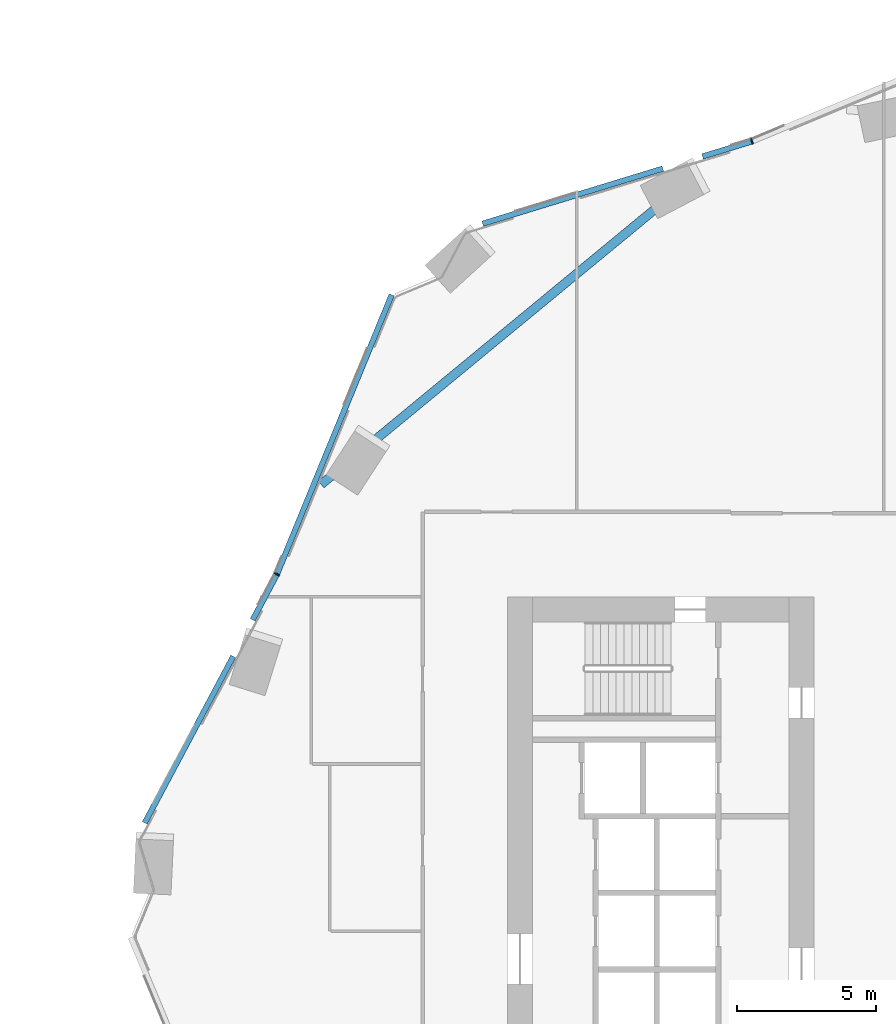
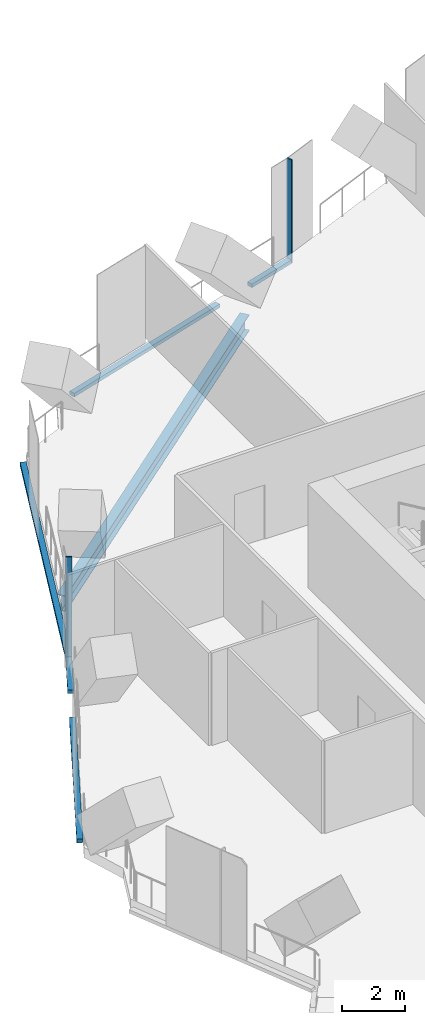
# One storey, part 12 of 34: 7 members, 1 beam, 4 elements without a shape of their own.
"""IFC4 building model written with IfcOpenShell, lengths in metres."""

from ifc_helpers import new_model, si_unit, direction, frame, origin, origin_2d, place, context, subcontext, project, spatial, rectangle, i_section, extrude, material, material_profile, profile_set, type_object, element, aggregate, save


model = new_model("IFC4")

# Units and contexts
model_context = context("Model", 3, precision=1e-05, world=origin(), true_north=direction((0.0, 1.0)))
body_context = subcontext(model_context, "Body", "Model", "MODEL_VIEW")
ifc_project = project(units=[si_unit("LENGTHUNIT", "METRE"), si_unit("AREAUNIT", "SQUARE_METRE"), si_unit("VOLUMEUNIT", "CUBIC_METRE"), si_unit("PLANEANGLEUNIT", "RADIAN"), si_unit("MASSUNIT", "GRAM", prefix="KILO")], contexts=[model_context])

# Site, building, storey
site_placement = place(None, origin())
site = spatial("IfcSite", under=ifc_project, at=site_placement, CompositionType="ELEMENT")
building_placement = place(site_placement, origin())
building = spatial("IfcBuilding", under=site, at=building_placement, Name="Orlundy Tower", CompositionType="ELEMENT")
storey_placement = place(building_placement, frame((0.0, 0.0, 98.199951171875)))
storey = spatial("IfcBuildingStorey", under=building, at=storey_placement, Name="L24", CompositionType="ELEMENT", Elevation=98.199951171875)

# Beam
ifc_material_1 = material(Name="Steel ASTM A992 Gr 50", Category="steel")
ifc_material_profile_1 = material_profile(ifc_material_1, i_section(OverallWidth=0.32373046875, OverallDepth=0.611083984375, WebThickness=0.0126953125, FlangeThickness=0.01904296875, at=origin_2d()), Name="W24X104")
ifc_profile_set_1 = profile_set([ifc_material_profile_1], Name="Steel ASTM A992 Gr 50")
beam_type = type_object("IfcBeamType", Name="CANTILEVER GIRDER beam W24X104", PredefinedType="BEAM", material=ifc_profile_set_1)
beam_placement = place(storey_placement, frame((-25.6923828125, 16.035400390625, -0.70556640625), z_axis=(0.771614816663, 0.636090068077, 0.0), x_axis=(-0.636090068077, 0.771614816663, 0.0)))
element("IfcBeam", 1, at=beam_placement, inside=storey, type_object=beam_type, Name="Cantilever girder C-H18 L24", PredefinedType="BEAM", context=body_context, shape_type="SweptSolid", body=[
    extrude(i_section(OverallWidth=0.32373046875, OverallDepth=0.611083984375, WebThickness=0.0126953125, FlangeThickness=0.01904296875, at=origin_2d()), origin(), (0.0, 0.0, 1.0), 16.605712890625),
])

# Curtain wall, member
ifc_material_2 = material(Name="Aluminium bronze anodised", Category="aluminium")
curtain_wall_type = type_object("IfcCurtainWallType", Name="CW5 wall", PredefinedType="NOTDEFINED", material=ifc_material_2)
curtain_wall_1_placement = place(storey_placement, origin())
curtain_wall_1 = element("IfcCurtainWall", 2, at=curtain_wall_1_placement, inside=storey, type_object=curtain_wall_type, Name="CW5 run 017", PredefinedType="NOTDEFINED")
ifc_material_3 = material(Name="Aluminium bronze anodised", Category="aluminium")
ifc_material_profile_2 = material_profile(ifc_material_3, rectangle(XDim=0.199951171875, YDim=0.050048828125, at=origin_2d()), Name="CW5 mullion 50x200")
ifc_profile_set_2 = profile_set([ifc_material_profile_2], Name="Aluminium bronze anodised")
member_type_1 = type_object("IfcMemberType", Name="CW5 mullion 50x200", PredefinedType="MULLION", material=ifc_profile_set_2)
member_1_placement = place(storey_placement, frame((-27.277587890625, 12.8125, -0.39990234375), z_axis=(0.0, 0.0, 1.0), x_axis=(-0.905079562879, 0.425242266078, 0.0)))
member_1 = element("IfcMember", 3, at=member_1_placement, type_object=member_type_1, Name="CW5 mullion 32", PredefinedType="MULLION", context=body_context, shape_type="SweptSolid", body=[
    extrude(rectangle(XDim=0.199951171875, YDim=0.050048828125, at=origin_2d()), origin(), (0.0, 0.0, 1.0), 4.0),
])

curtain_wall_2_placement = place(storey_placement, origin())
curtain_wall_2 = element("IfcCurtainWall", 4, at=curtain_wall_2_placement, inside=storey, type_object=curtain_wall_type, Name="CW5 run 021", PredefinedType="NOTDEFINED")
member_2_placement = place(storey_placement, frame((-10.22607421875, 28.34912109375, -0.39990234375), z_axis=(0.0, 0.0, 1.0), x_axis=(-0.339283705197, 0.940684095426, 0.0)))
member_2 = element("IfcMember", 5, at=member_2_placement, type_object=member_type_1, Name="CW5 mullion 38", PredefinedType="MULLION", context=body_context, shape_type="SweptSolid", body=[
    extrude(rectangle(XDim=0.199951171875, YDim=0.050048828125, at=origin_2d()), origin(), (0.0, 0.0, 1.0), 4.0),
])
aggregate(curtain_wall_2, [member_2])

# Curtain wall, members
curtain_wall_3_placement = place(storey_placement, origin())
curtain_wall_3 = element("IfcCurtainWall", 6, at=curtain_wall_3_placement, inside=storey, type_object=curtain_wall_type, Name="CW5 run 016", PredefinedType="NOTDEFINED")
ifc_material_4 = material(Name="Aluminium bronze anodised", Category="aluminium")
ifc_material_profile_3 = material_profile(ifc_material_4, rectangle(XDim=0.199951171875, YDim=0.139892578125, at=origin_2d()), Name="CW5 transom 200x140")
ifc_profile_set_3 = profile_set([ifc_material_profile_3], Name="Aluminium bronze anodised")
member_type_2 = type_object("IfcMemberType", Name="CW5 transom 200x140", PredefinedType="USERDEFINED", material=ifc_profile_set_3)
member_3_placement = place(storey_placement, frame((-32.023193359375, 3.88720703125, -0.329833984375), z_axis=(0.469462147417, 0.882952599035, 0.0), x_axis=(-0.882952599035, 0.469462147417, 0.0)))
member_3 = element("IfcMember", 7, at=member_3_placement, type_object=member_type_2, Name="CW5 transom", ObjectType="TRANSOM", PredefinedType="USERDEFINED", context=body_context, shape_type="SweptSolid", body=[
    extrude(rectangle(XDim=0.199951171875, YDim=0.139892578125, at=origin_2d()), origin(), (0.0, 0.0, 1.0), 6.76513671875),
])
member_4_placement = place(storey_placement, frame((-28.148681640625, 11.174560546875, -0.329833984375), z_axis=(0.469535544273, 0.882913570325, 0.0), x_axis=(-0.882913570325, 0.469535544273, 0.0)))
member_4 = element("IfcMember", 8, at=member_4_placement, type_object=member_type_2, Name="CW5 transom", ObjectType="TRANSOM", PredefinedType="USERDEFINED", context=body_context, shape_type="SweptSolid", body=[
    extrude(rectangle(XDim=0.199951171875, YDim=0.139892578125, at=origin_2d()), origin(), (0.0, 0.0, 1.0), 1.830322265625),
])
aggregate(curtain_wall_3, [member_3, member_4])

# Member
member_5_placement = place(storey_placement, frame((-27.26806640625, 12.835693359375, -0.329833984375), z_axis=(0.379987837531, 0.924991482841, 0.0), x_axis=(-0.924991482841, 0.379987837531, 0.0)))
member_5 = element("IfcMember", 9, at=member_5_placement, type_object=member_type_2, Name="CW5 transom", ObjectType="TRANSOM", PredefinedType="USERDEFINED", context=body_context, shape_type="SweptSolid", body=[
    extrude(rectangle(XDim=0.199951171875, YDim=0.139892578125, at=origin_2d()), origin(), (0.0, 0.0, 1.0), 10.815185546875),
])

aggregate(curtain_wall_1, [member_1, member_5])

# Curtain wall, members
curtain_wall_4_placement = place(storey_placement, origin())
curtain_wall_4 = element("IfcCurtainWall", 10, at=curtain_wall_4_placement, inside=storey, type_object=curtain_wall_type, Name="CW5 run 020", PredefinedType="NOTDEFINED")
member_6_placement = place(storey_placement, frame((-19.89501953125, 25.39306640625, -0.329833984375), z_axis=(0.95630221588, 0.292380012831, 0.0), x_axis=(-0.292380012831, 0.95630221588, 0.0)))
member_6 = element("IfcMember", 11, at=member_6_placement, type_object=member_type_2, Name="CW5 transom", ObjectType="TRANSOM", PredefinedType="USERDEFINED", context=body_context, shape_type="SweptSolid", body=[
    extrude(rectangle(XDim=0.199951171875, YDim=0.139892578125, at=origin_2d()), origin(), (0.0, 0.0, 1.0), 6.76025390625),
])
member_7_placement = place(storey_placement, frame((-12.002685546875, 27.805908203125, -0.329833984375), z_axis=(0.956298817596, 0.292391127542, 0.0), x_axis=(-0.292391127542, 0.956298817596, 0.0)))
member_7 = element("IfcMember", 12, at=member_7_placement, type_object=member_type_2, Name="CW5 transom", ObjectType="TRANSOM", PredefinedType="USERDEFINED", context=body_context, shape_type="SweptSolid", body=[
    extrude(rectangle(XDim=0.199951171875, YDim=0.139892578125, at=origin_2d()), origin(), (0.0, 0.0, 1.0), 1.832763671875),
])
aggregate(curtain_wall_4, [member_6, member_7])

save(model, "model.ifc")
